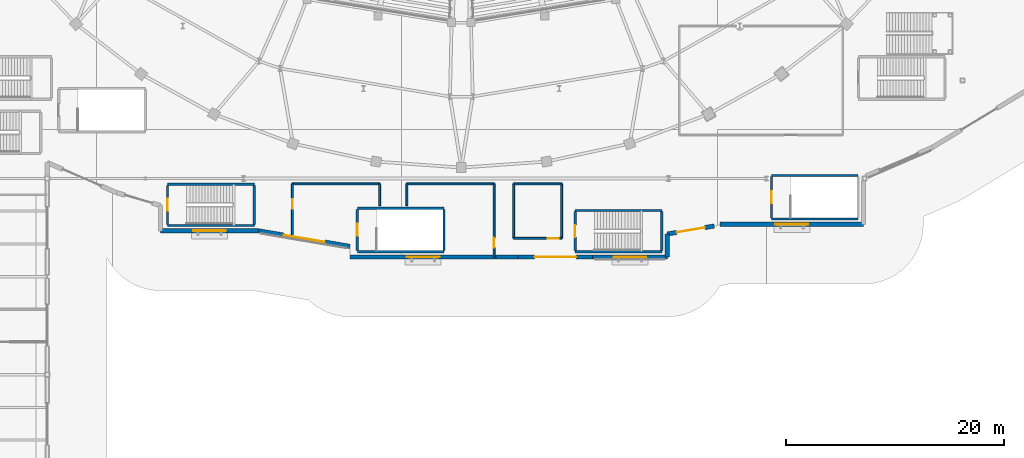
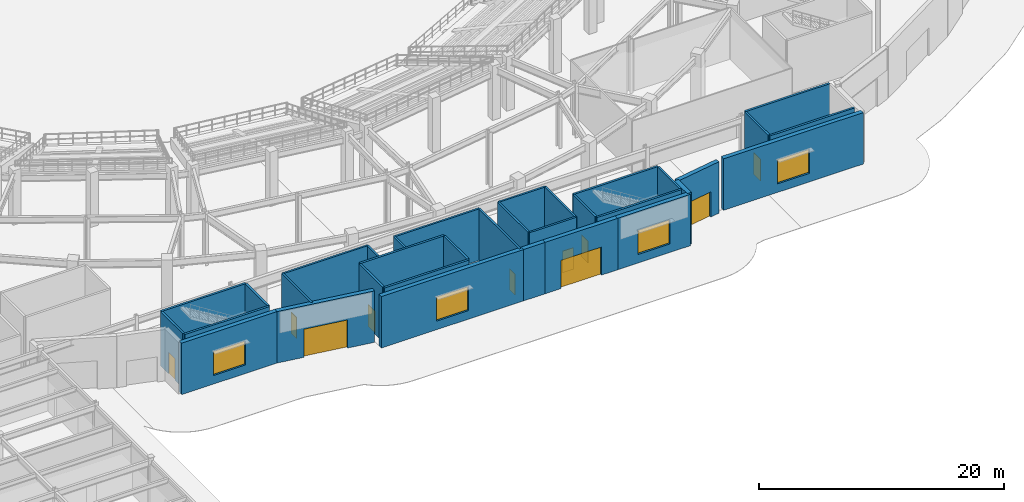
# One storey, part 49 of 79: 34 walls, 10 doors, 4 windows, 14 openings.
"""IFC4 building model written with IfcOpenShell, lengths in metres."""

from ifc_helpers import new_model, si_unit, direction, frame, frame_2d, origin, place, context, subcontext, project, spatial, rectangle, extrude, material, layer, layer_set, type_object, element, fill, save


model = new_model("IFC4")

# Units and contexts
model_context = context("Model", 3, precision=1e-05, world=origin(), true_north=direction((0.0, 1.0)))
body_context = subcontext(model_context, "Body", "Model", "MODEL_VIEW")
ifc_project = project(units=[si_unit("LENGTHUNIT", "METRE"), si_unit("AREAUNIT", "SQUARE_METRE"), si_unit("VOLUMEUNIT", "CUBIC_METRE"), si_unit("PLANEANGLEUNIT", "RADIAN"), si_unit("MASSUNIT", "GRAM", prefix="KILO")], contexts=[model_context])

# Site, building, storey
site_placement = place(None, origin())
site = spatial("IfcSite", under=ifc_project, at=site_placement, CompositionType="ELEMENT")
building_placement = place(site_placement, origin())
building = spatial("IfcBuilding", under=site, at=building_placement, Name="Glasvene Arena", CompositionType="ELEMENT")
storey_placement = place(building_placement, origin())
storey = spatial("IfcBuildingStorey", under=building, at=storey_placement, Name="L00", CompositionType="ELEMENT", Elevation=0.0)

# Wall, opening, window
ifc_material_1 = material(Name="Coursed pale Irish limestone", Category="masonry")
ifc_layer_1 = layer(ifc_material_1, 0.39990234375)
ifc_layer_set_1 = layer_set([ifc_layer_1], Name="Coursed pale Irish limestone")
wall_type_1 = type_object("IfcWallType", Name="WL-EXT-LIM-400", PredefinedType="STANDARD", material=ifc_layer_set_1)
wall_1_placement = place(storey_placement, frame((128.89990234375, 22.800048828125, 0.0), z_axis=(0.0, 0.0, 1.0), x_axis=(-1.0, 0.0, 0.0)))
wall_1 = element("IfcWall", 1, at=wall_1_placement, inside=storey, type_object=wall_type_1, Name="External facade wall EW-L00-0042", PredefinedType="STANDARD", context=body_context, shape_type="SweptSolid", body=[
    extrude(rectangle(XDim=13.147216796875, YDim=0.39990234375, at=frame_2d((6.57373046875, 0.0))), origin(), (0.0, 0.0, 1.0), 5.1201171875),
])
opening_1_placement = place(wall_1_placement, frame((5.073974609375, 0.0, 0.85009765625)))
opening_1 = element("IfcOpeningElement", 2, at=opening_1_placement, cuts=wall_1, Name="Opening W-02", PredefinedType="OPENING", context=body_context, shape_type="SweptSolid", body=[
    extrude(rectangle(XDim=3.0, YDim=2.39990234375, at=frame_2d((1.5, 1.199951171875))), frame((0.0, 0.2099609375, 0.0), z_axis=(0.0, -1.0, 0.0), x_axis=(1.0, 0.0, 0.0)), (0.0, 0.0, 1.0), 0.419921875),
])
ifc_material_2 = material(Name="Low-emissivity laminated double glazing", Category="glass")
window_type = type_object("IfcWindowType", Name="WN-FOY-300x240", PartitioningType="DOUBLE_PANEL_VERTICAL", PredefinedType="WINDOW", material=ifc_material_2)
window_1_placement = place(opening_1_placement, origin())
window_1 = element("IfcWindow", 3, at=window_1_placement, inside=storey, type_object=window_type, Name="Facade window WN-FOY-300x240 L00-0013", OverallHeight=2.39990234375, OverallWidth=3.0, PartitioningType="SINGLE_PANEL", PredefinedType="WINDOW", context=body_context, shape_type="SweptSolid", body=[
    extrude(rectangle(XDim=3.0, YDim=2.39990234375, at=frame_2d((1.5, 1.199951171875))), frame((0.0, 0.030029296875, 0.0), z_axis=(0.0, -1.0, 0.0), x_axis=(1.0, 0.0, 0.0)), (0.0, 0.0, 1.0), 0.06005859375),
])
fill(opening_1, window_1)

# Wall, opening, door
wall_2_placement = place(storey_placement, frame((115.202880859375, 22.638916015625, 0.0), z_axis=(0.0, 0.0, 1.0), x_axis=(-0.985867396806, -0.167527537783, 0.0)))
wall_2 = element("IfcWall", 4, at=wall_2_placement, inside=storey, type_object=wall_type_1, Name="External facade wall EW-L00-0043", PredefinedType="STANDARD", context=body_context, shape_type="SweptSolid", body=[
    extrude(rectangle(XDim=4.36474609375, YDim=0.39990234375, at=frame_2d((2.182373046875, 0.0))), origin(), (0.0, 0.0, 1.0), 5.1201171875),
])
opening_2_placement = place(wall_2_placement, frame((0.882080078125, 0.0, 0.0)))
opening_2 = element("IfcOpeningElement", 5, at=opening_2_placement, cuts=wall_2, Name="Opening G-EXIT", PredefinedType="OPENING", context=body_context, shape_type="SweptSolid", body=[
    extrude(rectangle(XDim=2.60009765625, YDim=2.5, at=frame_2d((1.300048828125, 1.25))), frame((0.0, 0.2099609375, 0.0), z_axis=(0.0, -1.0, 0.0), x_axis=(1.0, 0.0, 0.0)), (0.0, 0.0, 1.0), 0.419921875),
])
ifc_material_3 = material(Name="Galvanised painted steel", Category="steel")
door_type_1 = type_object("IfcDoorType", Name="DR-GATE-2600", OperationType="DOUBLE_DOOR_SINGLE_SWING", PredefinedType="DOOR", material=ifc_material_3)
door_1_placement = place(opening_2_placement, origin())
door_1 = element("IfcDoor", 6, at=door_1_placement, inside=storey, type_object=door_type_1, Name="Pedestrian exit gate G07", OperationType="DOUBLE_DOOR_SINGLE_SWING", OverallHeight=2.5, OverallWidth=2.60009765625, PredefinedType="DOOR", context=body_context, shape_type="SweptSolid", body=[
    extrude(rectangle(XDim=2.60009765625, YDim=2.5, at=frame_2d((1.300048828125, 1.25))), frame((0.0, 0.02490234375, 0.0), z_axis=(0.0, -1.0, 0.0), x_axis=(1.0, 0.0, 0.0)), (0.0, 0.0, 1.0), 0.050048828125),
])
fill(opening_2, door_1)

# Wall
wall_3_placement = place(storey_placement, frame((110.89990234375, 21.90771484375, 0.0), z_axis=(0.0, 0.0, 1.0), x_axis=(0.0, -1.0, 0.0)))
element("IfcWall", 7, at=wall_3_placement, inside=storey, type_object=wall_type_1, Name="External facade wall EW-L00-0044", PredefinedType="STANDARD", context=body_context, shape_type="SweptSolid", body=[
    extrude(rectangle(XDim=2.107666015625, YDim=0.39990234375, at=frame_2d((1.0537109375, 0.0))), origin(), (0.0, 0.0, 1.0), 5.1201171875),
])

# Wall, opening, window
wall_4_placement = place(storey_placement, frame((110.89990234375, 19.800048828125, 0.0), z_axis=(0.0, 0.0, 1.0), x_axis=(-1.0, 0.0, 0.0)))
wall_4 = element("IfcWall", 8, at=wall_4_placement, inside=storey, type_object=wall_type_1, Name="External facade wall EW-L00-0045", PredefinedType="STANDARD", context=body_context, shape_type="SweptSolid", body=[
    extrude(rectangle(XDim=6.849853515625, YDim=0.39990234375, at=frame_2d((3.4248046875, 0.0))), origin(), (0.0, 0.0, 1.0), 5.1201171875),
])
opening_3_placement = place(wall_4_placement, frame((1.925048828125, 0.0, 0.85009765625)))
opening_3 = element("IfcOpeningElement", 9, at=opening_3_placement, cuts=wall_4, Name="Opening W-02", PredefinedType="OPENING", context=body_context, shape_type="SweptSolid", body=[
    extrude(rectangle(XDim=3.0, YDim=2.39990234375, at=frame_2d((1.5, 1.199951171875))), frame((0.0, 0.2099609375, 0.0), z_axis=(0.0, -1.0, 0.0), x_axis=(1.0, 0.0, 0.0)), (0.0, 0.0, 1.0), 0.419921875),
])
window_2_placement = place(opening_3_placement, origin())
window_2 = element("IfcWindow", 10, at=window_2_placement, inside=storey, type_object=window_type, Name="Facade window WN-FOY-300x240 L00-0014", OverallHeight=2.39990234375, OverallWidth=3.0, PartitioningType="SINGLE_PANEL", PredefinedType="WINDOW", context=body_context, shape_type="SweptSolid", body=[
    extrude(rectangle(XDim=3.0, YDim=2.39990234375, at=frame_2d((1.5, 1.199951171875))), frame((0.0, 0.030029296875, 0.0), z_axis=(0.0, -1.0, 0.0), x_axis=(1.0, 0.0, 0.0)), (0.0, 0.0, 1.0), 0.06005859375),
])
fill(opening_3, window_2)

# Wall, opening, door
wall_5_placement = place(storey_placement, frame((104.050048828125, 19.800048828125, 0.0), z_axis=(0.0, 0.0, 1.0), x_axis=(-1.0, 0.0, 0.0)))
wall_5 = element("IfcWall", 11, at=wall_5_placement, inside=storey, type_object=wall_type_1, Name="External facade wall EW-L00-0046", PredefinedType="STANDARD", context=body_context, shape_type="SweptSolid", body=[
    extrude(rectangle(XDim=6.85009765625, YDim=0.39990234375, at=frame_2d((3.425048828125, 0.0))), origin(), (0.0, 0.0, 1.0), 5.1201171875),
])
opening_4_placement = place(wall_5_placement, frame((1.52490234375, 0.0, 0.0)))
opening_4 = element("IfcOpeningElement", 12, at=opening_4_placement, cuts=wall_5, Name="Opening E-MAIN", PredefinedType="OPENING", context=body_context, shape_type="SweptSolid", body=[
    extrude(rectangle(XDim=3.800048828125, YDim=2.800048828125, at=frame_2d((1.89990234375, 1.39990234375))), frame((0.0, 0.2099609375, 0.0), z_axis=(0.0, -1.0, 0.0), x_axis=(1.0, 0.0, 0.0)), (0.0, 0.0, 1.0), 0.419921875),
])
ifc_material_4 = material(Name="Anodised architectural aluminium", Category="aluminium")
door_type_2 = type_object("IfcDoorType", Name="DR-ENT-3800", OperationType="DOUBLE_DOOR_SINGLE_SWING", PredefinedType="DOOR", material=ifc_material_4)
door_2_placement = place(opening_4_placement, origin())
door_2 = element("IfcDoor", 13, at=door_2_placement, inside=storey, type_object=door_type_2, Name="Main entrance E15", OperationType="DOUBLE_DOOR_SINGLE_SWING", OverallHeight=2.800048828125, OverallWidth=3.800048828125, PredefinedType="DOOR", context=body_context, shape_type="SweptSolid", body=[
    extrude(rectangle(XDim=3.800048828125, YDim=2.800048828125, at=frame_2d((1.89990234375, 1.39990234375))), frame((0.0, 0.02490234375, 0.0), z_axis=(0.0, -1.0, 0.0), x_axis=(1.0, 0.0, 0.0)), (0.0, 0.0, 1.0), 0.050048828125),
])
fill(opening_4, door_2)

# Wall
wall_6_placement = place(storey_placement, frame((97.199951171875, 19.800048828125, 0.0), z_axis=(0.0, 0.0, 1.0), x_axis=(-1.0, 0.0, 0.0)))
element("IfcWall", 14, at=wall_6_placement, inside=storey, type_object=wall_type_1, Name="External facade wall EW-L00-0047", PredefinedType="STANDARD", context=body_context, shape_type="SweptSolid", body=[
    extrude(rectangle(XDim=2.0, YDim=0.39990234375, at=frame_2d((1.0, 0.0))), origin(), (0.0, 0.0, 1.0), 5.1201171875),
])

# Wall, opening, window
wall_7_placement = place(storey_placement, frame((95.199951171875, 19.800048828125, 0.0), z_axis=(0.0, 0.0, 1.0), x_axis=(-1.0, 0.0, 0.0)))
wall_7 = element("IfcWall", 15, at=wall_7_placement, inside=storey, type_object=wall_type_1, Name="External facade wall EW-L00-0048", PredefinedType="STANDARD", context=body_context, shape_type="SweptSolid", body=[
    extrude(rectangle(XDim=13.39990234375, YDim=0.39990234375, at=frame_2d((6.699951171875, 0.0))), origin(), (0.0, 0.0, 1.0), 5.1201171875),
])
opening_5_placement = place(wall_7_placement, frame((5.199951171875, 0.0, 0.85009765625)))
opening_5 = element("IfcOpeningElement", 16, at=opening_5_placement, cuts=wall_7, Name="Opening W-02", PredefinedType="OPENING", context=body_context, shape_type="SweptSolid", body=[
    extrude(rectangle(XDim=3.0, YDim=2.39990234375, at=frame_2d((1.5, 1.199951171875))), frame((0.0, 0.2099609375, 0.0), z_axis=(0.0, -1.0, 0.0), x_axis=(1.0, 0.0, 0.0)), (0.0, 0.0, 1.0), 0.419921875),
])
window_3_placement = place(opening_5_placement, origin())
window_3 = element("IfcWindow", 17, at=window_3_placement, inside=storey, type_object=window_type, Name="Facade window WN-FOY-300x240 L00-0015", OverallHeight=2.39990234375, OverallWidth=3.0, PartitioningType="SINGLE_PANEL", PredefinedType="WINDOW", context=body_context, shape_type="SweptSolid", body=[
    extrude(rectangle(XDim=3.0, YDim=2.39990234375, at=frame_2d((1.5, 1.199951171875))), frame((0.0, 0.030029296875, 0.0), z_axis=(0.0, -1.0, 0.0), x_axis=(1.0, 0.0, 0.0)), (0.0, 0.0, 1.0), 0.06005859375),
])
fill(opening_5, window_3)

# Wall, opening, door
wall_8_placement = place(storey_placement, frame((81.76025390625, 20.77587890625, 0.0), z_axis=(0.0, 0.0, 1.0), x_axis=(-0.985868134206, 0.167523198264, 0.0)))
wall_8 = element("IfcWall", 18, at=wall_8_placement, inside=storey, type_object=wall_type_1, Name="External facade wall EW-L00-0049", PredefinedType="STANDARD", context=body_context, shape_type="SweptSolid", body=[
    extrude(rectangle(XDim=8.500732421875, YDim=0.39990234375, at=frame_2d((4.25048828125, 0.0))), origin(), (0.0, 0.0, 1.0), 5.1201171875),
])
opening_6_placement = place(wall_8_placement, frame((2.35009765625, 0.0, 0.0)))
opening_6 = element("IfcOpeningElement", 19, at=opening_6_placement, cuts=wall_8, Name="Opening E-MAIN", PredefinedType="OPENING", context=body_context, shape_type="SweptSolid", body=[
    extrude(rectangle(XDim=3.800048828125, YDim=2.800048828125, at=frame_2d((1.89990234375, 1.39990234375))), frame((0.0, 0.2099609375, 0.0), z_axis=(0.0, -1.0, 0.0), x_axis=(1.0, 0.0, 0.0)), (0.0, 0.0, 1.0), 0.419921875),
])
door_3_placement = place(opening_6_placement, origin())
door_3 = element("IfcDoor", 20, at=door_3_placement, inside=storey, type_object=door_type_2, Name="Main entrance E16", OperationType="DOUBLE_DOOR_SINGLE_SWING", OverallHeight=2.800048828125, OverallWidth=3.800048828125, PredefinedType="DOOR", context=body_context, shape_type="SweptSolid", body=[
    extrude(rectangle(XDim=3.800048828125, YDim=2.800048828125, at=frame_2d((1.89990234375, 1.39990234375))), frame((0.0, 0.02490234375, 0.0), z_axis=(0.0, -1.0, 0.0), x_axis=(1.0, 0.0, 0.0)), (0.0, 0.0, 1.0), 0.050048828125),
])
fill(opening_6, door_3)

# Wall, opening, window
wall_9_placement = place(storey_placement, frame((73.379638671875, 22.199951171875, 0.0), z_axis=(0.0, 0.0, 1.0), x_axis=(-1.0, 0.0, 0.0)))
wall_9 = element("IfcWall", 21, at=wall_9_placement, inside=storey, type_object=wall_type_1, Name="External facade wall EW-L00-0050", PredefinedType="STANDARD", context=body_context, shape_type="SweptSolid", body=[
    extrude(rectangle(XDim=8.979736328125, YDim=0.39990234375, at=frame_2d((4.48974609375, 0.0))), origin(), (0.0, 0.0, 1.0), 5.1201171875),
])
opening_7_placement = place(wall_9_placement, frame((2.989990234375, 0.0, 0.85009765625)))
opening_7 = element("IfcOpeningElement", 22, at=opening_7_placement, cuts=wall_9, Name="Opening W-02", PredefinedType="OPENING", context=body_context, shape_type="SweptSolid", body=[
    extrude(rectangle(XDim=3.0, YDim=2.39990234375, at=frame_2d((1.5, 1.199951171875))), frame((0.0, 0.2099609375, 0.0), z_axis=(0.0, -1.0, 0.0), x_axis=(1.0, 0.0, 0.0)), (0.0, 0.0, 1.0), 0.419921875),
])
window_4_placement = place(opening_7_placement, origin())
window_4 = element("IfcWindow", 23, at=window_4_placement, inside=storey, type_object=window_type, Name="Facade window WN-FOY-300x240 L00-0016", OverallHeight=2.39990234375, OverallWidth=3.0, PartitioningType="SINGLE_PANEL", PredefinedType="WINDOW", context=body_context, shape_type="SweptSolid", body=[
    extrude(rectangle(XDim=3.0, YDim=2.39990234375, at=frame_2d((1.5, 1.199951171875))), frame((0.0, 0.030029296875, 0.0), z_axis=(0.0, -1.0, 0.0), x_axis=(1.0, 0.0, 0.0)), (0.0, 0.0, 1.0), 0.06005859375),
])
fill(opening_7, window_4)

# Wall
ifc_material_5 = material(Name="Concrete C40/50", Category="concrete")
ifc_layer_2 = layer(ifc_material_5, 0.199951171875)
ifc_layer_set_2 = layer_set([ifc_layer_2], Name="Concrete C40/50")
wall_type_2 = type_object("IfcWallType", Name="WL-SHAFT-200", PredefinedType="SHEAR", material=ifc_layer_set_2)
wall_10_placement = place(storey_placement, frame((65.050048828125, 22.679931640625, 0.0), z_axis=(0.0, 0.0, 1.0), x_axis=(1.0, 0.0, 0.0)))
element("IfcWall", 24, at=wall_10_placement, inside=storey, type_object=wall_type_2, Name="Escape stair shaft wall ST-08 L00 S", PredefinedType="SHEAR", context=body_context, shape_type="SweptSolid", body=[
    extrude(rectangle(XDim=7.949951171875, YDim=0.199951171875, at=frame_2d((3.97509765625, 0.0))), origin(), (0.0, 0.0, 1.0), 5.39990234375),
])

# Wall, opening, door
wall_11_placement = place(storey_placement, frame((65.050048828125, 22.781982421875, 0.0), z_axis=(0.0, 0.0, 1.0), x_axis=(0.0, 1.0, 0.0)))
wall_11 = element("IfcWall", 25, at=wall_11_placement, inside=storey, type_object=wall_type_2, Name="Escape stair shaft wall ST-08 L00 W", PredefinedType="SHEAR", context=body_context, shape_type="SweptSolid", body=[
    extrude(rectangle(XDim=3.5859375, YDim=0.199951171875, at=frame_2d((1.79296875, 0.0))), origin(), (0.0, 0.0, 1.0), 5.39990234375),
])
opening_8_placement = place(wall_11_placement, frame((1.242919921875, 0.0, 0.0)))
opening_8 = element("IfcOpeningElement", 26, at=opening_8_placement, cuts=wall_11, Name="Opening D-04", PredefinedType="OPENING", context=body_context, shape_type="SweptSolid", body=[
    extrude(rectangle(XDim=1.10009765625, YDim=2.14990234375, at=frame_2d((0.550048828125, 1.074951171875))), frame((0.0, 0.10986328125, 0.0), z_axis=(0.0, -1.0, 0.0), x_axis=(1.0, 0.0, 0.0)), (0.0, 0.0, 1.0), 0.219970703125),
])
ifc_material_6 = material(Name="Painted fire-resisting steel", Category="steel")
door_type_3 = type_object("IfcDoorType", Name="DR-FD60-1100", OperationType="NOTDEFINED", PredefinedType="DOOR", material=ifc_material_6)
door_4_placement = place(opening_8_placement, frame((1.10009765625, 0.0, 0.0), z_axis=(0.0, 0.0, 1.0), x_axis=(-1.0, 0.0, 0.0)))
door_4 = element("IfcDoor", 27, at=door_4_placement, inside=storey, type_object=door_type_3, Name="Protected escape stair door ST-08 L00", OperationType="SINGLE_SWING_LEFT", OverallHeight=2.14990234375, OverallWidth=1.10009765625, PredefinedType="DOOR", context=body_context, shape_type="SweptSolid", body=[
    extrude(rectangle(XDim=1.10009765625, YDim=2.14990234375, at=frame_2d((0.550048828125, 1.074951171875))), frame((0.0, 0.02490234375, 0.0), z_axis=(0.0, -1.0, 0.0), x_axis=(1.0, 0.0, 0.0)), (0.0, 0.0, 1.0), 0.050048828125),
])
fill(opening_8, door_4)

# Walls
wall_12_placement = place(storey_placement, frame((73.0, 22.781982421875, 0.0), z_axis=(0.0, 0.0, 1.0), x_axis=(0.0, 1.0, 0.0)))
element("IfcWall", 28, at=wall_12_placement, inside=storey, type_object=wall_type_2, Name="Escape stair shaft wall ST-08 L00 E", PredefinedType="SHEAR", context=body_context, shape_type="SweptSolid", body=[
    extrude(rectangle(XDim=3.5859375, YDim=0.199951171875, at=frame_2d((1.79296875, 0.0))), origin(), (0.0, 0.0, 1.0), 5.39990234375),
])
for number, where, z_axis, x_axis, name in (
    (29, (65.050048828125, 26.469970703125, 0.0), (0.0, 0.0, 1.0), (1.0, 0.0, 0.0), "Escape stair shaft wall ST-08 L00 N"),
    (30, (102.449951171875, 20.280029296875, 0.0), (0.0, 0.0, 1.0), (1.0, 0.0, 0.0), "Escape stair shaft wall ST-09 L00 S"),
):
    element("IfcWall", number, at=place(storey_placement, frame(where, z_axis=z_axis, x_axis=x_axis)), inside=storey, type_object=wall_type_2, Name=name, PredefinedType="SHEAR", context=body_context, shape_type="SweptSolid", body=[
        extrude(rectangle(XDim=7.949951171875, YDim=0.199951171875, at=frame_2d((3.97509765625, 0.0))), origin(), (0.0, 0.0, 1.0), 5.39990234375),
    ])

# Wall, opening, door
wall_13_placement = place(storey_placement, frame((102.449951171875, 20.382080078125, 0.0), z_axis=(0.0, 0.0, 1.0), x_axis=(0.0, 1.0, 0.0)))
wall_13 = element("IfcWall", 31, at=wall_13_placement, inside=storey, type_object=wall_type_2, Name="Escape stair shaft wall ST-09 L00 W", PredefinedType="SHEAR", context=body_context, shape_type="SweptSolid", body=[
    extrude(rectangle(XDim=3.5859375, YDim=0.199951171875, at=frame_2d((1.79296875, 0.0))), origin(), (0.0, 0.0, 1.0), 5.39990234375),
])
opening_9_placement = place(wall_13_placement, frame((1.242919921875, 0.0, 0.0)))
opening_9 = element("IfcOpeningElement", 32, at=opening_9_placement, cuts=wall_13, Name="Opening D-04", PredefinedType="OPENING", context=body_context, shape_type="SweptSolid", body=[
    extrude(rectangle(XDim=1.10009765625, YDim=2.14990234375, at=frame_2d((0.550048828125, 1.074951171875))), frame((0.0, 0.10986328125, 0.0), z_axis=(0.0, -1.0, 0.0), x_axis=(1.0, 0.0, 0.0)), (0.0, 0.0, 1.0), 0.219970703125),
])
door_5_placement = place(opening_9_placement, frame((1.10009765625, 0.0, 0.0), z_axis=(0.0, 0.0, 1.0), x_axis=(-1.0, 0.0, 0.0)))
door_5 = element("IfcDoor", 33, at=door_5_placement, inside=storey, type_object=door_type_3, Name="Protected escape stair door ST-09 L00", OperationType="SINGLE_SWING_LEFT", OverallHeight=2.14990234375, OverallWidth=1.10009765625, PredefinedType="DOOR", context=body_context, shape_type="SweptSolid", body=[
    extrude(rectangle(XDim=1.10009765625, YDim=2.14990234375, at=frame_2d((0.550048828125, 1.074951171875))), frame((0.0, 0.02490234375, 0.0), z_axis=(0.0, -1.0, 0.0), x_axis=(1.0, 0.0, 0.0)), (0.0, 0.0, 1.0), 0.050048828125),
])
fill(opening_9, door_5)

# Walls
wall_14_placement = place(storey_placement, frame((110.39990234375, 20.382080078125, 0.0), z_axis=(0.0, 0.0, 1.0), x_axis=(0.0, 1.0, 0.0)))
element("IfcWall", 34, at=wall_14_placement, inside=storey, type_object=wall_type_2, Name="Escape stair shaft wall ST-09 L00 E", PredefinedType="SHEAR", context=body_context, shape_type="SweptSolid", body=[
    extrude(rectangle(XDim=3.5859375, YDim=0.199951171875, at=frame_2d((1.79296875, 0.0))), origin(), (0.0, 0.0, 1.0), 5.39990234375),
])
for number, where, z_axis, x_axis, name in (
    (35, (102.449951171875, 24.070068359375, 0.0), (0.0, 0.0, 1.0), (1.0, 0.0, 0.0), "Escape stair shaft wall ST-09 L00 N"),
    (36, (120.449951171875, 23.280029296875, 0.0), (0.0, 0.0, 1.0), (1.0, 0.0, 0.0), "Escape stair shaft wall ST-B07 L00 S"),
):
    element("IfcWall", number, at=place(storey_placement, frame(where, z_axis=z_axis, x_axis=x_axis)), inside=storey, type_object=wall_type_2, Name=name, PredefinedType="SHEAR", context=body_context, shape_type="SweptSolid", body=[
        extrude(rectangle(XDim=7.949951171875, YDim=0.199951171875, at=frame_2d((3.97509765625, 0.0))), origin(), (0.0, 0.0, 1.0), 5.39990234375),
    ])

# Wall, opening, door
wall_15_placement = place(storey_placement, frame((120.449951171875, 23.382080078125, 0.0), z_axis=(0.0, 0.0, 1.0), x_axis=(0.0, 1.0, 0.0)))
wall_15 = element("IfcWall", 37, at=wall_15_placement, inside=storey, type_object=wall_type_2, Name="Escape stair shaft wall ST-B07 L00 W", PredefinedType="SHEAR", context=body_context, shape_type="SweptSolid", body=[
    extrude(rectangle(XDim=3.785888671875, YDim=0.199951171875, at=frame_2d((1.89306640625, 0.0))), origin(), (0.0, 0.0, 1.0), 5.39990234375),
])
opening_10_placement = place(wall_15_placement, frame((1.343017578125, 0.0, 0.0)))
opening_10 = element("IfcOpeningElement", 38, at=opening_10_placement, cuts=wall_15, Name="Opening D-04", PredefinedType="OPENING", context=body_context, shape_type="SweptSolid", body=[
    extrude(rectangle(XDim=1.10009765625, YDim=2.14990234375, at=frame_2d((0.550048828125, 1.074951171875))), frame((0.0, 0.10986328125, 0.0), z_axis=(0.0, -1.0, 0.0), x_axis=(1.0, 0.0, 0.0)), (0.0, 0.0, 1.0), 0.219970703125),
])
door_6_placement = place(opening_10_placement, frame((1.10009765625, 0.0, 0.0), z_axis=(0.0, 0.0, 1.0), x_axis=(-1.0, 0.0, 0.0)))
door_6 = element("IfcDoor", 39, at=door_6_placement, inside=storey, type_object=door_type_3, Name="Protected escape stair door ST-B07 L00", OperationType="SINGLE_SWING_LEFT", OverallHeight=2.14990234375, OverallWidth=1.10009765625, PredefinedType="DOOR", context=body_context, shape_type="SweptSolid", body=[
    extrude(rectangle(XDim=1.10009765625, YDim=2.14990234375, at=frame_2d((0.550048828125, 1.074951171875))), frame((0.0, 0.02490234375, 0.0), z_axis=(0.0, -1.0, 0.0), x_axis=(1.0, 0.0, 0.0)), (0.0, 0.0, 1.0), 0.050048828125),
])
fill(opening_10, door_6)

# Walls
for number, where, z_axis, x_axis, name in (
    (40, (120.449951171875, 27.27001953125, 0.0), (0.0, 0.0, 1.0), (1.0, 0.0, 0.0), "Escape stair shaft wall ST-B07 L00 N"),
    (41, (82.449951171875, 20.280029296875, 0.0), (0.0, 0.0, 1.0), (1.0, 0.0, 0.0), "Escape stair shaft wall ST-B08 L00 S"),
):
    element("IfcWall", number, at=place(storey_placement, frame(where, z_axis=z_axis, x_axis=x_axis)), inside=storey, type_object=wall_type_2, Name=name, PredefinedType="SHEAR", context=body_context, shape_type="SweptSolid", body=[
        extrude(rectangle(XDim=7.949951171875, YDim=0.199951171875, at=frame_2d((3.97509765625, 0.0))), origin(), (0.0, 0.0, 1.0), 5.39990234375),
    ])

# Wall, opening, door
wall_16_placement = place(storey_placement, frame((82.449951171875, 20.382080078125, 0.0), z_axis=(0.0, 0.0, 1.0), x_axis=(0.0, 1.0, 0.0)))
wall_16 = element("IfcWall", 42, at=wall_16_placement, inside=storey, type_object=wall_type_2, Name="Escape stair shaft wall ST-B08 L00 W", PredefinedType="SHEAR", context=body_context, shape_type="SweptSolid", body=[
    extrude(rectangle(XDim=3.785888671875, YDim=0.199951171875, at=frame_2d((1.89306640625, 0.0))), origin(), (0.0, 0.0, 1.0), 5.39990234375),
])
opening_11_placement = place(wall_16_placement, frame((1.343017578125, 0.0, 0.0)))
opening_11 = element("IfcOpeningElement", 43, at=opening_11_placement, cuts=wall_16, Name="Opening D-04", PredefinedType="OPENING", context=body_context, shape_type="SweptSolid", body=[
    extrude(rectangle(XDim=1.10009765625, YDim=2.14990234375, at=frame_2d((0.550048828125, 1.074951171875))), frame((0.0, 0.10986328125, 0.0), z_axis=(0.0, -1.0, 0.0), x_axis=(1.0, 0.0, 0.0)), (0.0, 0.0, 1.0), 0.219970703125),
])
door_7_placement = place(opening_11_placement, frame((1.10009765625, 0.0, 0.0), z_axis=(0.0, 0.0, 1.0), x_axis=(-1.0, 0.0, 0.0)))
door_7 = element("IfcDoor", 44, at=door_7_placement, inside=storey, type_object=door_type_3, Name="Protected escape stair door ST-B08 L00", OperationType="SINGLE_SWING_LEFT", OverallHeight=2.14990234375, OverallWidth=1.10009765625, PredefinedType="DOOR", context=body_context, shape_type="SweptSolid", body=[
    extrude(rectangle(XDim=1.10009765625, YDim=2.14990234375, at=frame_2d((0.550048828125, 1.074951171875))), frame((0.0, 0.02490234375, 0.0), z_axis=(0.0, -1.0, 0.0), x_axis=(1.0, 0.0, 0.0)), (0.0, 0.0, 1.0), 0.050048828125),
])
fill(opening_11, door_7)

# Walls
wall_17_placement = place(storey_placement, frame((90.39990234375, 20.382080078125, 0.0), z_axis=(0.0, 0.0, 1.0), x_axis=(0.0, 1.0, 0.0)))
element("IfcWall", 45, at=wall_17_placement, inside=storey, type_object=wall_type_2, Name="Escape stair shaft wall ST-B08 L00 E", PredefinedType="SHEAR", context=body_context, shape_type="SweptSolid", body=[
    extrude(rectangle(XDim=3.785888671875, YDim=0.199951171875, at=frame_2d((1.89306640625, 0.0))), origin(), (0.0, 0.0, 1.0), 5.39990234375),
])
wall_18_placement = place(storey_placement, frame((82.449951171875, 24.27001953125, 0.0), z_axis=(0.0, 0.0, 1.0), x_axis=(1.0, 0.0, 0.0)))
element("IfcWall", 46, at=wall_18_placement, inside=storey, type_object=wall_type_2, Name="Escape stair shaft wall ST-B08 L00 N", PredefinedType="SHEAR", context=body_context, shape_type="SweptSolid", body=[
    extrude(rectangle(XDim=7.949951171875, YDim=0.199951171875, at=frame_2d((3.97509765625, 0.0))), origin(), (0.0, 0.0, 1.0), 5.39990234375),
])

# Wall, opening, door
ifc_material_7 = material(Name="Moisture-resistant masonry blockwork", Category="masonry")
ifc_layer_3 = layer(ifc_material_7, 0.179931640625)
ifc_layer_set_3 = layer_set([ifc_layer_3], Name="Moisture-resistant masonry blockwork")
wall_type_3 = type_object("IfcWallType", Name="WL-WET-180", PredefinedType="PARTITIONING", material=ifc_layer_set_3)
wall_19_placement = place(storey_placement, frame((76.5, 21.709716796875, 0.0), z_axis=(0.0, 0.0, 1.0), x_axis=(0.0, 1.0, 0.0)))
wall_19 = element("IfcWall", 47, at=wall_19_placement, inside=storey, type_object=wall_type_3, Name="Interior partition wall IW-L00-0108 (Ground Level Public Male WC)", PredefinedType="PARTITIONING", context=body_context, shape_type="SweptSolid", body=[
    extrude(rectangle(XDim=4.790283203125, YDim=0.179931640625, at=frame_2d((2.39501953125, 0.0))), origin(), (0.0, 0.0, 1.0), 5.1201171875),
])
opening_12_placement = place(wall_19_placement, frame((2.492919921875, 0.0, 0.0)))
opening_12 = element("IfcOpeningElement", 48, at=opening_12_placement, cuts=wall_19, Name="Opening D-13", PredefinedType="OPENING", context=body_context, shape_type="SweptSolid", body=[
    extrude(rectangle(XDim=0.89990234375, YDim=2.10009765625, at=frame_2d((0.449951171875, 1.050048828125))), frame((0.0, 0.10009765625, 0.0), z_axis=(0.0, -1.0, 0.0), x_axis=(1.0, 0.0, 0.0)), (0.0, 0.0, 1.0), 0.199951171875),
])
ifc_material_8 = material(Name="Moisture-resistant laminate timber", Category="wood")
door_type_4 = type_object("IfcDoorType", Name="DR-WC-900", OperationType="NOTDEFINED", PredefinedType="DOOR", material=ifc_material_8)
door_8_placement = place(opening_12_placement, origin())
door_8 = element("IfcDoor", 49, at=door_8_placement, inside=storey, type_object=door_type_4, Name="Interior door DR-WC-900 (Ground Level Public Male WC)", OperationType="SINGLE_SWING_RIGHT", OverallHeight=2.10009765625, OverallWidth=0.89990234375, PredefinedType="DOOR", context=body_context, shape_type="SweptSolid", body=[
    extrude(rectangle(XDim=0.89990234375, YDim=2.10009765625, at=frame_2d((0.449951171875, 1.050048828125))), frame((0.0, 0.02490234375, 0.0), z_axis=(0.0, -1.0, 0.0), x_axis=(1.0, 0.0, 0.0)), (0.0, 0.0, 1.0), 0.050048828125),
])
fill(opening_12, door_8)

# Walls
wall_20_placement = place(storey_placement, frame((76.5, 26.5, 0.0), z_axis=(0.0, 0.0, 1.0), x_axis=(1.0, 0.0, 0.0)))
element("IfcWall", 50, at=wall_20_placement, inside=storey, type_object=wall_type_3, Name="Interior partition wall IW-L00-0109 (Ground Level Public Male WC)", PredefinedType="PARTITIONING", context=body_context, shape_type="SweptSolid", body=[
    extrude(rectangle(XDim=8.0, YDim=0.179931640625, at=frame_2d((4.0, 0.0))), origin(), (0.0, 0.0, 1.0), 5.1201171875),
])
for number, where, z_axis, x_axis, name in (
    (51, (84.5, 26.5, 0.0), (0.0, 0.0, 1.0), (0.0, -1.0, 0.0), "Interior partition wall IW-L00-0110 (Ground Level Public Male WC)"),
    (52, (87.0, 24.5, 0.0), (0.0, 0.0, 1.0), (0.0, 1.0, 0.0), "Interior partition wall IW-L00-0111 (Ground Level Public Female WC)"),
):
    element("IfcWall", number, at=place(storey_placement, frame(where, z_axis=z_axis, x_axis=x_axis)), inside=storey, type_object=wall_type_3, Name=name, PredefinedType="PARTITIONING", context=body_context, shape_type="SweptSolid", body=[
        extrude(rectangle(XDim=2.0, YDim=0.179931640625, at=frame_2d((1.0, 0.0))), origin(), (0.0, 0.0, 1.0), 5.1201171875),
    ])
wall_21_placement = place(storey_placement, frame((87.0, 26.5, 0.0), z_axis=(0.0, 0.0, 1.0), x_axis=(1.0, 0.0, 0.0)))
element("IfcWall", 53, at=wall_21_placement, inside=storey, type_object=wall_type_3, Name="Interior partition wall IW-L00-0112 (Ground Level Public Female WC)", PredefinedType="PARTITIONING", context=body_context, shape_type="SweptSolid", body=[
    extrude(rectangle(XDim=8.0, YDim=0.179931640625, at=frame_2d((4.0, 0.0))), origin(), (0.0, 0.0, 1.0), 5.1201171875),
])

# Wall, opening, door
wall_22_placement = place(storey_placement, frame((95.0, 26.5, 0.0), z_axis=(0.0, 0.0, 1.0), x_axis=(0.0, -1.0, 0.0)))
wall_22 = element("IfcWall", 54, at=wall_22_placement, inside=storey, type_object=wall_type_3, Name="Interior partition wall IW-L00-0113 (Ground Level Public Female WC)", PredefinedType="PARTITIONING", context=body_context, shape_type="SweptSolid", body=[
    extrude(rectangle(XDim=6.659912109375, YDim=0.179931640625, at=frame_2d((3.330078125, 0.0))), origin(), (0.0, 0.0, 1.0), 5.1201171875),
])
opening_13_placement = place(wall_22_placement, frame((4.944091796875, 0.0, 0.0)))
opening_13 = element("IfcOpeningElement", 55, at=opening_13_placement, cuts=wall_22, Name="Opening D-13", PredefinedType="OPENING", context=body_context, shape_type="SweptSolid", body=[
    extrude(rectangle(XDim=0.89990234375, YDim=2.10009765625, at=frame_2d((0.449951171875, 1.050048828125))), frame((0.0, 0.10009765625, 0.0), z_axis=(0.0, -1.0, 0.0), x_axis=(1.0, 0.0, 0.0)), (0.0, 0.0, 1.0), 0.199951171875),
])
door_9_placement = place(opening_13_placement, origin())
door_9 = element("IfcDoor", 56, at=door_9_placement, inside=storey, type_object=door_type_4, Name="Interior door DR-WC-900 (Ground Level Public Female WC)", OperationType="SINGLE_SWING_LEFT", OverallHeight=2.10009765625, OverallWidth=0.89990234375, PredefinedType="DOOR", context=body_context, shape_type="SweptSolid", body=[
    extrude(rectangle(XDim=0.89990234375, YDim=2.10009765625, at=frame_2d((0.449951171875, 1.050048828125))), frame((0.0, 0.02490234375, 0.0), z_axis=(0.0, -1.0, 0.0), x_axis=(1.0, 0.0, 0.0)), (0.0, 0.0, 1.0), 0.050048828125),
])
fill(opening_13, door_9)

# Walls
wall_23_placement = place(storey_placement, frame((101.199951171875, 21.5, 0.0), z_axis=(0.0, 0.0, 1.0), x_axis=(0.0, 1.0, 0.0)))
element("IfcWall", 57, at=wall_23_placement, inside=storey, type_object=wall_type_3, Name="Interior partition wall IW-L00-0114 (Ground Level Accessible WC)", PredefinedType="PARTITIONING", context=body_context, shape_type="SweptSolid", body=[
    extrude(rectangle(XDim=5.0, YDim=0.179931640625, at=frame_2d((2.5, 0.0))), origin(), (0.0, 0.0, 1.0), 5.1201171875),
])
wall_24_placement = place(storey_placement, frame((101.199951171875, 26.5, 0.0), z_axis=(0.0, 0.0, 1.0), x_axis=(-1.0, 0.0, 0.0)))
element("IfcWall", 58, at=wall_24_placement, inside=storey, type_object=wall_type_3, Name="Interior partition wall IW-L00-0115 (Ground Level Accessible WC)", PredefinedType="PARTITIONING", context=body_context, shape_type="SweptSolid", body=[
    extrude(rectangle(XDim=4.39990234375, YDim=0.179931640625, at=frame_2d((2.199951171875, 0.0))), origin(), (0.0, 0.0, 1.0), 5.1201171875),
])
wall_25_placement = place(storey_placement, frame((96.800048828125, 26.5, 0.0), z_axis=(0.0, 0.0, 1.0), x_axis=(0.0, -1.0, 0.0)))
element("IfcWall", 59, at=wall_25_placement, inside=storey, type_object=wall_type_3, Name="Interior partition wall IW-L00-0116 (Ground Level Accessible WC)", PredefinedType="PARTITIONING", context=body_context, shape_type="SweptSolid", body=[
    extrude(rectangle(XDim=5.0, YDim=0.179931640625, at=frame_2d((2.5, 0.0))), origin(), (0.0, 0.0, 1.0), 5.1201171875),
])

# Wall, opening, door
wall_26_placement = place(storey_placement, frame((96.800048828125, 21.5, 0.0), z_axis=(0.0, 0.0, 1.0), x_axis=(1.0, 0.0, 0.0)))
wall_26 = element("IfcWall", 60, at=wall_26_placement, inside=storey, type_object=wall_type_3, Name="Interior partition wall IW-L00-0117 (Ground Level Accessible WC)", PredefinedType="PARTITIONING", context=body_context, shape_type="SweptSolid", body=[
    extrude(rectangle(XDim=4.39990234375, YDim=0.179931640625, at=frame_2d((2.199951171875, 0.0))), origin(), (0.0, 0.0, 1.0), 5.1201171875),
])
opening_14_placement = place(wall_26_placement, frame((3.14990234375, 0.0, 0.0)))
opening_14 = element("IfcOpeningElement", 61, at=opening_14_placement, cuts=wall_26, Name="Opening D-06", PredefinedType="OPENING", context=body_context, shape_type="SweptSolid", body=[
    extrude(rectangle(XDim=1.0, YDim=2.14990234375, at=frame_2d((0.5, 1.074951171875))), frame((0.0, 0.10009765625, 0.0), z_axis=(0.0, -1.0, 0.0), x_axis=(1.0, 0.0, 0.0)), (0.0, 0.0, 1.0), 0.199951171875),
])
ifc_material_9 = material(Name="European oak fire-resisting timber", Category="wood")
door_type_5 = type_object("IfcDoorType", Name="DR-FD30-1000", OperationType="NOTDEFINED", PredefinedType="DOOR", material=ifc_material_9)
door_10_placement = place(opening_14_placement, origin())
door_10 = element("IfcDoor", 62, at=door_10_placement, inside=storey, type_object=door_type_5, Name="Interior door DR-FD30-1000 (Ground Level Accessible WC)", OperationType="SINGLE_SWING_RIGHT", OverallHeight=2.14990234375, OverallWidth=1.0, PredefinedType="DOOR", context=body_context, shape_type="SweptSolid", body=[
    extrude(rectangle(XDim=1.0, YDim=2.14990234375, at=frame_2d((0.5, 1.074951171875))), frame((0.0, 0.02490234375, 0.0), z_axis=(0.0, -1.0, 0.0), x_axis=(1.0, 0.0, 0.0)), (0.0, 0.0, 1.0), 0.050048828125),
])
fill(opening_14, door_10)

save(model, "model.ifc")
